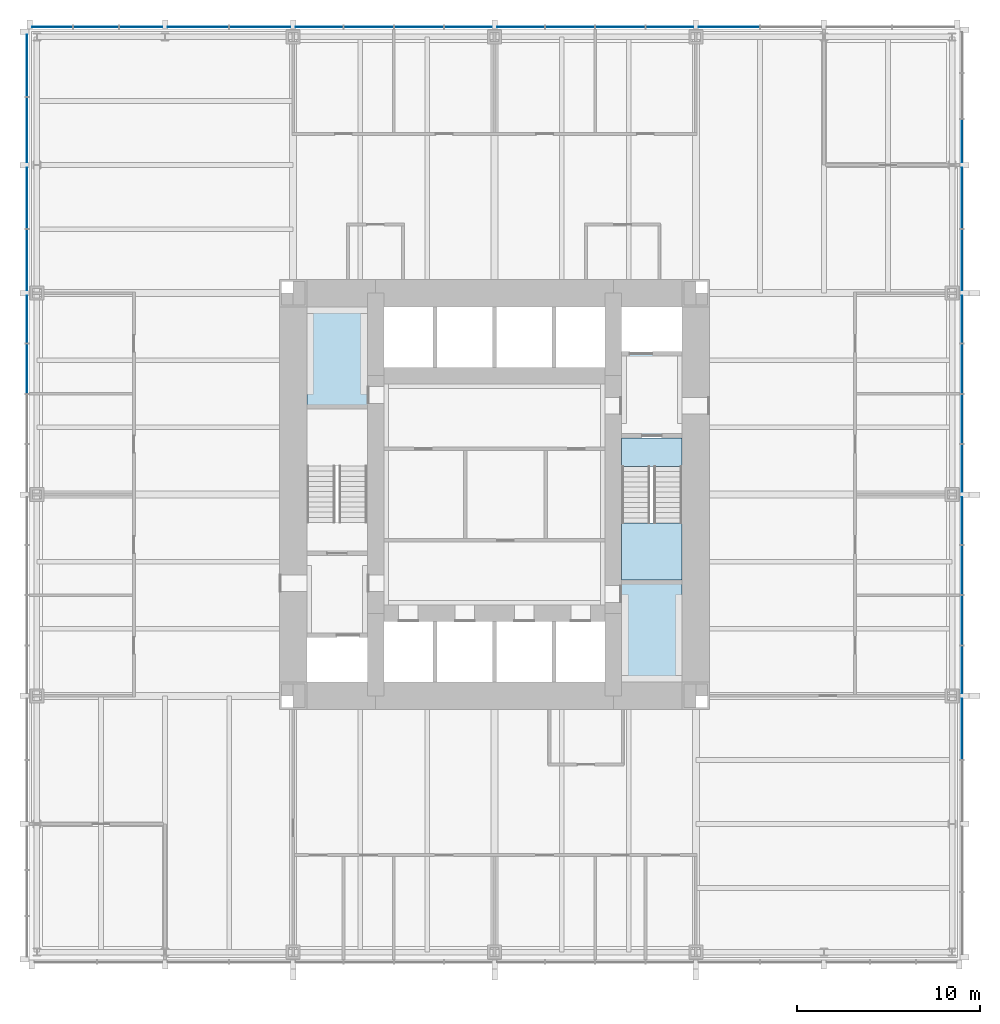
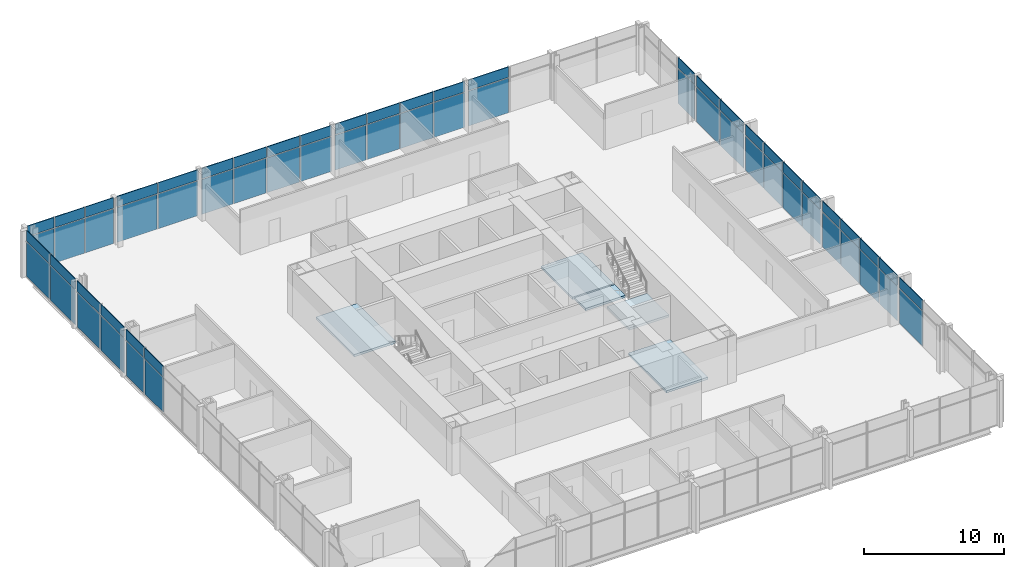
# One storey, part 8 of 12: 64 plates, 5 slabs, 4 elements without a shape of their own.
"""IFC4 building model written with IfcOpenShell, lengths in metres."""

from ifc_helpers import new_model, si_unit, direction, frame, origin, origin_2d, place, context, subcontext, project, spatial, polyline, rectangle, outline, extrude, material, layer, layer_set, type_object, element, aggregate, save


model = new_model("IFC4")

# Units and contexts
model_context = context("Model", 3, precision=1e-05, world=origin(), true_north=direction((0.0, 1.0)))
body_context = subcontext(model_context, "Body", "Model", "MODEL_VIEW")
ifc_project = project(units=[si_unit("LENGTHUNIT", "METRE"), si_unit("AREAUNIT", "SQUARE_METRE"), si_unit("VOLUMEUNIT", "CUBIC_METRE"), si_unit("PLANEANGLEUNIT", "RADIAN"), si_unit("MASSUNIT", "GRAM", prefix="KILO")], contexts=[model_context])

# Site, building, storey
site_placement = place(None, origin())
site = spatial("IfcSite", under=ifc_project, at=site_placement, CompositionType="ELEMENT")
building_placement = place(site_placement, origin())
building = spatial("IfcBuilding", under=site, at=building_placement, Name="Trevanion Tower", CompositionType="ELEMENT")
storey_placement = place(building_placement, frame((0.0, 0.0, 77.5)))
storey = spatial("IfcBuildingStorey", under=building, at=storey_placement, Name="L18", CompositionType="ELEMENT", Elevation=77.5)

# Curtain wall, plates
ifc_material_1 = material(Name="Aluminium and glass", Category="aluminium")
curtain_wall_type = type_object("IfcCurtainWallType", Name="CW1 curtain wall", PredefinedType="USERDEFINED", material=ifc_material_1)
curtain_wall_1_placement = place(storey_placement, origin())
curtain_wall_1 = element("IfcCurtainWall", 1, at=curtain_wall_1_placement, inside=storey, type_object=curtain_wall_type, Name="CW1 L18 0", ObjectType="UNITISED CURTAIN WALL", PredefinedType="USERDEFINED")
ifc_material_2 = material(Name="Aluminium spandrel panel", Category="aluminium")
ifc_layer_1 = layer(ifc_material_2, 0.06005859375)
ifc_layer_set_1 = layer_set([ifc_layer_1], Name="CW1 spandrel panel")
plate_type_1 = type_object("IfcPlateType", Name="CW1 spandrel panel", PredefinedType="CURTAIN_PANEL", material=ifc_layer_set_1)
plate_1_placement = place(storey_placement, frame((25.550048828125, -12.806396484375, 2.997314453125), z_axis=(0.0, 0.0, 1.0), x_axis=(0.0, 1.0, 0.0)))
plate_1 = element("IfcPlate", 2, at=plate_1_placement, type_object=plate_type_1, Name="CW1 panel 4.2", PredefinedType="CURTAIN_PANEL", context=body_context, shape_type="SweptSolid", body=[
    extrude(rectangle(XDim=3.3125, YDim=0.06005859375, at=origin_2d()), origin(), (0.0, 0.0, 1.0), 0.91259765625),
])
plate_2_placement = place(storey_placement, frame((25.550048828125, -9.56884765625, 2.997314453125), z_axis=(0.0, 0.0, 1.0), x_axis=(0.0, 1.0, 0.0)))
plate_2 = element("IfcPlate", 3, at=plate_2_placement, type_object=plate_type_1, Name="CW1 panel 5.2", PredefinedType="CURTAIN_PANEL", context=body_context, shape_type="SweptSolid", body=[
    extrude(rectangle(XDim=2.5625, YDim=0.06005859375, at=origin_2d()), origin(), (0.0, 0.0, 1.0), 0.91259765625),
])
plate_3_placement = place(storey_placement, frame((25.550048828125, -6.875, 2.997314453125), z_axis=(0.0, 0.0, 1.0), x_axis=(0.0, 1.0, 0.0)))
plate_3 = element("IfcPlate", 4, at=plate_3_placement, type_object=plate_type_1, Name="CW1 panel 6.2", PredefinedType="CURTAIN_PANEL", context=body_context, shape_type="SweptSolid", body=[
    extrude(rectangle(XDim=2.675048828125, YDim=0.06005859375, at=origin_2d()), origin(), (0.0, 0.0, 1.0), 0.91259765625),
])
plate_4_placement = place(storey_placement, frame((25.550048828125, -4.125, 2.997314453125), z_axis=(0.0, 0.0, 1.0), x_axis=(0.0, 1.0, 0.0)))
plate_4 = element("IfcPlate", 5, at=plate_4_placement, type_object=plate_type_1, Name="CW1 panel 7.2", PredefinedType="CURTAIN_PANEL", context=body_context, shape_type="SweptSolid", body=[
    extrude(rectangle(XDim=2.675048828125, YDim=0.06005859375, at=origin_2d()), origin(), (0.0, 0.0, 1.0), 0.91259765625),
])
plate_5_placement = place(storey_placement, frame((25.550048828125, -1.43115234375, 2.997314453125), z_axis=(0.0, 0.0, 1.0), x_axis=(0.0, 1.0, 0.0)))
plate_5 = element("IfcPlate", 6, at=plate_5_placement, type_object=plate_type_1, Name="CW1 panel 8.2", PredefinedType="CURTAIN_PANEL", context=body_context, shape_type="SweptSolid", body=[
    extrude(rectangle(XDim=2.5625, YDim=0.06005859375, at=origin_2d()), origin(), (0.0, 0.0, 1.0), 0.91259765625),
])
plate_6_placement = place(storey_placement, frame((25.550048828125, 1.43115234375, 2.997314453125), z_axis=(0.0, 0.0, 1.0), x_axis=(0.0, 1.0, 0.0)))
plate_6 = element("IfcPlate", 7, at=plate_6_placement, type_object=plate_type_1, Name="CW1 panel 9.2", PredefinedType="CURTAIN_PANEL", context=body_context, shape_type="SweptSolid", body=[
    extrude(rectangle(XDim=2.5625, YDim=0.06005859375, at=origin_2d()), origin(), (0.0, 0.0, 1.0), 0.91259765625),
])
plate_7_placement = place(storey_placement, frame((25.550048828125, 4.125, 2.997314453125), z_axis=(0.0, 0.0, 1.0), x_axis=(0.0, 1.0, 0.0)))
plate_7 = element("IfcPlate", 8, at=plate_7_placement, type_object=plate_type_1, Name="CW1 panel 10.2", PredefinedType="CURTAIN_PANEL", context=body_context, shape_type="SweptSolid", body=[
    extrude(rectangle(XDim=2.675048828125, YDim=0.06005859375, at=origin_2d()), origin(), (0.0, 0.0, 1.0), 0.91259765625),
])
plate_8_placement = place(storey_placement, frame((25.550048828125, 6.875, 2.997314453125), z_axis=(0.0, 0.0, 1.0), x_axis=(0.0, 1.0, 0.0)))
plate_8 = element("IfcPlate", 9, at=plate_8_placement, type_object=plate_type_1, Name="CW1 panel 11.2", PredefinedType="CURTAIN_PANEL", context=body_context, shape_type="SweptSolid", body=[
    extrude(rectangle(XDim=2.675048828125, YDim=0.06005859375, at=origin_2d()), origin(), (0.0, 0.0, 1.0), 0.91259765625),
])
plate_9_placement = place(storey_placement, frame((25.550048828125, 9.56884765625, 2.997314453125), z_axis=(0.0, 0.0, 1.0), x_axis=(0.0, 1.0, 0.0)))
plate_9 = element("IfcPlate", 10, at=plate_9_placement, type_object=plate_type_1, Name="CW1 panel 12.2", PredefinedType="CURTAIN_PANEL", context=body_context, shape_type="SweptSolid", body=[
    extrude(rectangle(XDim=2.5625, YDim=0.06005859375, at=origin_2d()), origin(), (0.0, 0.0, 1.0), 0.91259765625),
])
plate_10_placement = place(storey_placement, frame((25.550048828125, 12.80615234375, 2.997314453125), z_axis=(0.0, 0.0, 1.0), x_axis=(0.0, 1.0, 0.0)))
plate_10 = element("IfcPlate", 11, at=plate_10_placement, type_object=plate_type_1, Name="CW1 panel 13.2", PredefinedType="CURTAIN_PANEL", context=body_context, shape_type="SweptSolid", body=[
    extrude(rectangle(XDim=3.3125, YDim=0.06005859375, at=origin_2d()), origin(), (0.0, 0.0, 1.0), 0.91259765625),
])
plate_11_placement = place(storey_placement, frame((25.550048828125, 16.19384765625, 2.997314453125), z_axis=(0.0, 0.0, 1.0), x_axis=(0.0, 1.0, 0.0)))
plate_11 = element("IfcPlate", 12, at=plate_11_placement, type_object=plate_type_1, Name="CW1 panel 14.2", PredefinedType="CURTAIN_PANEL", context=body_context, shape_type="SweptSolid", body=[
    extrude(rectangle(XDim=3.3125, YDim=0.06005859375, at=origin_2d()), origin(), (0.0, 0.0, 1.0), 0.91259765625),
])
plate_12_placement = place(storey_placement, frame((25.550048828125, 19.314697265625, 2.997314453125), z_axis=(0.0, 0.0, 1.0), x_axis=(0.0, 1.0, 0.0)))
plate_12 = element("IfcPlate", 13, at=plate_12_placement, type_object=plate_type_1, Name="CW1 panel 15.2", PredefinedType="CURTAIN_PANEL", context=body_context, shape_type="SweptSolid", body=[
    extrude(rectangle(XDim=2.3291015625, YDim=0.06005859375, at=origin_2d()), origin(), (0.0, 0.0, 1.0), 0.91259765625),
])

curtain_wall_2_placement = place(storey_placement, origin())
curtain_wall_2 = element("IfcCurtainWall", 14, at=curtain_wall_2_placement, inside=storey, type_object=curtain_wall_type, Name="CW1 L18 1", ObjectType="UNITISED CURTAIN WALL", PredefinedType="USERDEFINED")
plate_13_placement = place(storey_placement, frame((12.806396484375, 25.550048828125, 2.997314453125), z_axis=(0.0, 0.0, 1.0), x_axis=(-1.0, 0.0, 0.0)))
plate_13 = element("IfcPlate", 15, at=plate_13_placement, type_object=plate_type_1, Name="CW1 panel 4.2", PredefinedType="CURTAIN_PANEL", context=body_context, shape_type="SweptSolid", body=[
    extrude(rectangle(XDim=3.3125, YDim=0.06005859375, at=origin_2d()), origin(), (0.0, 0.0, 1.0), 0.91259765625),
])
plate_14_placement = place(storey_placement, frame((9.56884765625, 25.550048828125, 2.997314453125), z_axis=(0.0, 0.0, 1.0), x_axis=(-1.0, 0.0, 0.0)))
plate_14 = element("IfcPlate", 16, at=plate_14_placement, type_object=plate_type_1, Name="CW1 panel 5.2", PredefinedType="CURTAIN_PANEL", context=body_context, shape_type="SweptSolid", body=[
    extrude(rectangle(XDim=2.5625, YDim=0.06005859375, at=origin_2d()), origin(), (0.0, 0.0, 1.0), 0.91259765625),
])
plate_15_placement = place(storey_placement, frame((6.875, 25.550048828125, 2.997314453125), z_axis=(0.0, 0.0, 1.0), x_axis=(-1.0, 0.0, 0.0)))
plate_15 = element("IfcPlate", 17, at=plate_15_placement, type_object=plate_type_1, Name="CW1 panel 6.2", PredefinedType="CURTAIN_PANEL", context=body_context, shape_type="SweptSolid", body=[
    extrude(rectangle(XDim=2.675048828125, YDim=0.06005859375, at=origin_2d()), origin(), (0.0, 0.0, 1.0), 0.91259765625),
])
plate_16_placement = place(storey_placement, frame((4.125, 25.550048828125, 2.997314453125), z_axis=(0.0, 0.0, 1.0), x_axis=(-1.0, 0.0, 0.0)))
plate_16 = element("IfcPlate", 18, at=plate_16_placement, type_object=plate_type_1, Name="CW1 panel 7.2", PredefinedType="CURTAIN_PANEL", context=body_context, shape_type="SweptSolid", body=[
    extrude(rectangle(XDim=2.675048828125, YDim=0.06005859375, at=origin_2d()), origin(), (0.0, 0.0, 1.0), 0.91259765625),
])
plate_17_placement = place(storey_placement, frame((1.43115234375, 25.550048828125, 2.997314453125), z_axis=(0.0, 0.0, 1.0), x_axis=(-1.0, 0.0, 0.0)))
plate_17 = element("IfcPlate", 19, at=plate_17_placement, type_object=plate_type_1, Name="CW1 panel 8.2", PredefinedType="CURTAIN_PANEL", context=body_context, shape_type="SweptSolid", body=[
    extrude(rectangle(XDim=2.5625, YDim=0.06005859375, at=origin_2d()), origin(), (0.0, 0.0, 1.0), 0.91259765625),
])
plate_18_placement = place(storey_placement, frame((-1.43115234375, 25.550048828125, 2.997314453125), z_axis=(0.0, 0.0, 1.0), x_axis=(-1.0, 0.0, 0.0)))
plate_18 = element("IfcPlate", 20, at=plate_18_placement, type_object=plate_type_1, Name="CW1 panel 9.2", PredefinedType="CURTAIN_PANEL", context=body_context, shape_type="SweptSolid", body=[
    extrude(rectangle(XDim=2.5625, YDim=0.06005859375, at=origin_2d()), origin(), (0.0, 0.0, 1.0), 0.91259765625),
])
plate_19_placement = place(storey_placement, frame((-4.125, 25.550048828125, 2.997314453125), z_axis=(0.0, 0.0, 1.0), x_axis=(-1.0, 0.0, 0.0)))
plate_19 = element("IfcPlate", 21, at=plate_19_placement, type_object=plate_type_1, Name="CW1 panel 10.2", PredefinedType="CURTAIN_PANEL", context=body_context, shape_type="SweptSolid", body=[
    extrude(rectangle(XDim=2.675048828125, YDim=0.06005859375, at=origin_2d()), origin(), (0.0, 0.0, 1.0), 0.91259765625),
])
plate_20_placement = place(storey_placement, frame((-6.875, 25.550048828125, 2.997314453125), z_axis=(0.0, 0.0, 1.0), x_axis=(-1.0, 0.0, 0.0)))
plate_20 = element("IfcPlate", 22, at=plate_20_placement, type_object=plate_type_1, Name="CW1 panel 11.2", PredefinedType="CURTAIN_PANEL", context=body_context, shape_type="SweptSolid", body=[
    extrude(rectangle(XDim=2.675048828125, YDim=0.06005859375, at=origin_2d()), origin(), (0.0, 0.0, 1.0), 0.91259765625),
])
plate_21_placement = place(storey_placement, frame((-9.56884765625, 25.550048828125, 2.997314453125), z_axis=(0.0, 0.0, 1.0), x_axis=(-1.0, 0.0, 0.0)))
plate_21 = element("IfcPlate", 23, at=plate_21_placement, type_object=plate_type_1, Name="CW1 panel 12.2", PredefinedType="CURTAIN_PANEL", context=body_context, shape_type="SweptSolid", body=[
    extrude(rectangle(XDim=2.5625, YDim=0.06005859375, at=origin_2d()), origin(), (0.0, 0.0, 1.0), 0.91259765625),
])
plate_22_placement = place(storey_placement, frame((-12.80615234375, 25.550048828125, 2.997314453125), z_axis=(0.0, 0.0, 1.0), x_axis=(-1.0, 0.0, 0.0)))
plate_22 = element("IfcPlate", 24, at=plate_22_placement, type_object=plate_type_1, Name="CW1 panel 13.2", PredefinedType="CURTAIN_PANEL", context=body_context, shape_type="SweptSolid", body=[
    extrude(rectangle(XDim=3.3125, YDim=0.06005859375, at=origin_2d()), origin(), (0.0, 0.0, 1.0), 0.91259765625),
])
plate_23_placement = place(storey_placement, frame((-16.19384765625, 25.550048828125, 2.997314453125), z_axis=(0.0, 0.0, 1.0), x_axis=(-1.0, 0.0, 0.0)))
plate_23 = element("IfcPlate", 25, at=plate_23_placement, type_object=plate_type_1, Name="CW1 panel 14.2", PredefinedType="CURTAIN_PANEL", context=body_context, shape_type="SweptSolid", body=[
    extrude(rectangle(XDim=3.3125, YDim=0.06005859375, at=origin_2d()), origin(), (0.0, 0.0, 1.0), 0.91259765625),
])
plate_24_placement = place(storey_placement, frame((-19.314697265625, 25.550048828125, 2.997314453125), z_axis=(0.0, 0.0, 1.0), x_axis=(-1.0, 0.0, 0.0)))
plate_24 = element("IfcPlate", 26, at=plate_24_placement, type_object=plate_type_1, Name="CW1 panel 15.2", PredefinedType="CURTAIN_PANEL", context=body_context, shape_type="SweptSolid", body=[
    extrude(rectangle(XDim=2.3291015625, YDim=0.06005859375, at=origin_2d()), origin(), (0.0, 0.0, 1.0), 0.91259765625),
])
plate_25_placement = place(storey_placement, frame((-21.77490234375, 25.550048828125, 2.997314453125), z_axis=(0.0, 0.0, 1.0), x_axis=(-1.0, 0.0, 0.0)))
plate_25 = element("IfcPlate", 27, at=plate_25_placement, type_object=plate_type_1, Name="CW1 panel 16.2", PredefinedType="CURTAIN_PANEL", context=body_context, shape_type="SweptSolid", body=[
    extrude(rectangle(XDim=2.441650390625, YDim=0.06005859375, at=origin_2d()), origin(), (0.0, 0.0, 1.0), 0.91259765625),
])
plate_26_placement = place(storey_placement, frame((-24.160400390625, 25.550048828125, 2.997314453125), z_axis=(0.0, 0.0, 1.0), x_axis=(-1.0, 0.0, 0.0)))
plate_26 = element("IfcPlate", 28, at=plate_26_placement, type_object=plate_type_1, Name="CW1 panel 17.2", PredefinedType="CURTAIN_PANEL", context=body_context, shape_type="SweptSolid", body=[
    extrude(rectangle(XDim=2.17919921875, YDim=0.06005859375, at=origin_2d()), origin(), (0.0, 0.0, 1.0), 0.91259765625),
])

curtain_wall_3_placement = place(storey_placement, origin())
curtain_wall_3 = element("IfcCurtainWall", 29, at=curtain_wall_3_placement, inside=storey, type_object=curtain_wall_type, Name="CW1 L18 2", ObjectType="UNITISED CURTAIN WALL", PredefinedType="USERDEFINED")
plate_27_placement = place(storey_placement, frame((-25.550048828125, 23.433837890625, 2.997314453125), z_axis=(0.0, 0.0, 1.0), x_axis=(0.0, -1.0, 0.0)))
plate_27 = element("IfcPlate", 30, at=plate_27_placement, type_object=plate_type_1, Name="CW1 panel 1.2", PredefinedType="CURTAIN_PANEL", context=body_context, shape_type="SweptSolid", body=[
    extrude(rectangle(XDim=3.37255859375, YDim=0.06005859375, at=origin_2d()), origin(), (0.0, 0.0, 1.0), 0.91259765625),
])
plate_28_placement = place(storey_placement, frame((-25.550048828125, 19.911376953125, 2.997314453125), z_axis=(0.0, 0.0, 1.0), x_axis=(0.0, -1.0, 0.0)))
plate_28 = element("IfcPlate", 31, at=plate_28_placement, type_object=plate_type_1, Name="CW1 panel 2.2", PredefinedType="CURTAIN_PANEL", context=body_context, shape_type="SweptSolid", body=[
    extrude(rectangle(XDim=3.5224609375, YDim=0.06005859375, at=origin_2d()), origin(), (0.0, 0.0, 1.0), 0.91259765625),
])
plate_29_placement = place(storey_placement, frame((-25.550048828125, 16.19384765625, 2.997314453125), z_axis=(0.0, 0.0, 1.0), x_axis=(0.0, -1.0, 0.0)))
plate_29 = element("IfcPlate", 32, at=plate_29_placement, type_object=plate_type_1, Name="CW1 panel 3.2", PredefinedType="CURTAIN_PANEL", context=body_context, shape_type="SweptSolid", body=[
    extrude(rectangle(XDim=3.3125, YDim=0.06005859375, at=origin_2d()), origin(), (0.0, 0.0, 1.0), 0.91259765625),
])
plate_30_placement = place(storey_placement, frame((-25.550048828125, 12.806396484375, 2.997314453125), z_axis=(0.0, 0.0, 1.0), x_axis=(0.0, -1.0, 0.0)))
plate_30 = element("IfcPlate", 33, at=plate_30_placement, type_object=plate_type_1, Name="CW1 panel 4.2", PredefinedType="CURTAIN_PANEL", context=body_context, shape_type="SweptSolid", body=[
    extrude(rectangle(XDim=3.3125, YDim=0.06005859375, at=origin_2d()), origin(), (0.0, 0.0, 1.0), 0.91259765625),
])
plate_31_placement = place(storey_placement, frame((-25.550048828125, 9.56884765625, 2.997314453125), z_axis=(0.0, 0.0, 1.0), x_axis=(0.0, -1.0, 0.0)))
plate_31 = element("IfcPlate", 34, at=plate_31_placement, type_object=plate_type_1, Name="CW1 panel 5.2", PredefinedType="CURTAIN_PANEL", context=body_context, shape_type="SweptSolid", body=[
    extrude(rectangle(XDim=2.5625, YDim=0.06005859375, at=origin_2d()), origin(), (0.0, 0.0, 1.0), 0.91259765625),
])
plate_32_placement = place(storey_placement, frame((-25.550048828125, 6.875, 2.997314453125), z_axis=(0.0, 0.0, 1.0), x_axis=(0.0, -1.0, 0.0)))
plate_32 = element("IfcPlate", 35, at=plate_32_placement, type_object=plate_type_1, Name="CW1 panel 6.2", PredefinedType="CURTAIN_PANEL", context=body_context, shape_type="SweptSolid", body=[
    extrude(rectangle(XDim=2.675048828125, YDim=0.06005859375, at=origin_2d()), origin(), (0.0, 0.0, 1.0), 0.91259765625),
])

# Plate
ifc_material_3 = material(Name="Insulating glass unit", Category="glass")
ifc_layer_2 = layer(ifc_material_3, 0.028076171875)
ifc_layer_set_2 = layer_set([ifc_layer_2], Name="CW1 vision panel")
plate_type_2 = type_object("IfcPlateType", Name="CW1 vision panel", PredefinedType="CURTAIN_PANEL", material=ifc_layer_set_2)
plate_33_placement = place(storey_placement, frame((25.550048828125, -12.806396484375, -0.114990234375), z_axis=(0.0, 0.0, 1.0), x_axis=(0.0, 1.0, 0.0)))
plate_33 = element("IfcPlate", 36, at=plate_33_placement, type_object=plate_type_2, Name="CW1 panel 4.1", PredefinedType="CURTAIN_PANEL", context=body_context, shape_type="SweptSolid", body=[
    extrude(rectangle(XDim=3.3125, YDim=0.028076171875, at=origin_2d()), origin(), (0.0, 0.0, 1.0), 3.03759765625),
])

plate_34_placement = place(storey_placement, frame((25.550048828125, -9.56884765625, -0.114990234375), z_axis=(0.0, 0.0, 1.0), x_axis=(0.0, 1.0, 0.0)))
plate_34 = element("IfcPlate", 37, at=plate_34_placement, type_object=plate_type_2, Name="CW1 panel 5.1", PredefinedType="CURTAIN_PANEL", context=body_context, shape_type="SweptSolid", body=[
    extrude(rectangle(XDim=2.5625, YDim=0.028076171875, at=origin_2d()), origin(), (0.0, 0.0, 1.0), 3.03759765625),
])

plate_35_placement = place(storey_placement, frame((25.550048828125, -6.875, -0.114990234375), z_axis=(0.0, 0.0, 1.0), x_axis=(0.0, 1.0, 0.0)))
plate_35 = element("IfcPlate", 38, at=plate_35_placement, type_object=plate_type_2, Name="CW1 panel 6.1", PredefinedType="CURTAIN_PANEL", context=body_context, shape_type="SweptSolid", body=[
    extrude(rectangle(XDim=2.675048828125, YDim=0.028076171875, at=origin_2d()), origin(), (0.0, 0.0, 1.0), 3.03759765625),
])

plate_36_placement = place(storey_placement, frame((25.550048828125, -4.125, -0.114990234375), z_axis=(0.0, 0.0, 1.0), x_axis=(0.0, 1.0, 0.0)))
plate_36 = element("IfcPlate", 39, at=plate_36_placement, type_object=plate_type_2, Name="CW1 panel 7.1", PredefinedType="CURTAIN_PANEL", context=body_context, shape_type="SweptSolid", body=[
    extrude(rectangle(XDim=2.675048828125, YDim=0.028076171875, at=origin_2d()), origin(), (0.0, 0.0, 1.0), 3.03759765625),
])

plate_37_placement = place(storey_placement, frame((25.550048828125, -1.43115234375, -0.114990234375), z_axis=(0.0, 0.0, 1.0), x_axis=(0.0, 1.0, 0.0)))
plate_37 = element("IfcPlate", 40, at=plate_37_placement, type_object=plate_type_2, Name="CW1 panel 8.1", PredefinedType="CURTAIN_PANEL", context=body_context, shape_type="SweptSolid", body=[
    extrude(rectangle(XDim=2.5625, YDim=0.028076171875, at=origin_2d()), origin(), (0.0, 0.0, 1.0), 3.03759765625),
])

plate_38_placement = place(storey_placement, frame((25.550048828125, 1.43115234375, -0.114990234375), z_axis=(0.0, 0.0, 1.0), x_axis=(0.0, 1.0, 0.0)))
plate_38 = element("IfcPlate", 41, at=plate_38_placement, type_object=plate_type_2, Name="CW1 panel 9.1", PredefinedType="CURTAIN_PANEL", context=body_context, shape_type="SweptSolid", body=[
    extrude(rectangle(XDim=2.5625, YDim=0.028076171875, at=origin_2d()), origin(), (0.0, 0.0, 1.0), 3.03759765625),
])

plate_39_placement = place(storey_placement, frame((25.550048828125, 4.125, -0.114990234375), z_axis=(0.0, 0.0, 1.0), x_axis=(0.0, 1.0, 0.0)))
plate_39 = element("IfcPlate", 42, at=plate_39_placement, type_object=plate_type_2, Name="CW1 panel 10.1", PredefinedType="CURTAIN_PANEL", context=body_context, shape_type="SweptSolid", body=[
    extrude(rectangle(XDim=2.675048828125, YDim=0.028076171875, at=origin_2d()), origin(), (0.0, 0.0, 1.0), 3.03759765625),
])

plate_40_placement = place(storey_placement, frame((25.550048828125, 6.875, -0.114990234375), z_axis=(0.0, 0.0, 1.0), x_axis=(0.0, 1.0, 0.0)))
plate_40 = element("IfcPlate", 43, at=plate_40_placement, type_object=plate_type_2, Name="CW1 panel 11.1", PredefinedType="CURTAIN_PANEL", context=body_context, shape_type="SweptSolid", body=[
    extrude(rectangle(XDim=2.675048828125, YDim=0.028076171875, at=origin_2d()), origin(), (0.0, 0.0, 1.0), 3.03759765625),
])

plate_41_placement = place(storey_placement, frame((25.550048828125, 9.56884765625, -0.114990234375), z_axis=(0.0, 0.0, 1.0), x_axis=(0.0, 1.0, 0.0)))
plate_41 = element("IfcPlate", 44, at=plate_41_placement, type_object=plate_type_2, Name="CW1 panel 12.1", PredefinedType="CURTAIN_PANEL", context=body_context, shape_type="SweptSolid", body=[
    extrude(rectangle(XDim=2.5625, YDim=0.028076171875, at=origin_2d()), origin(), (0.0, 0.0, 1.0), 3.03759765625),
])

plate_42_placement = place(storey_placement, frame((25.550048828125, 12.80615234375, -0.114990234375), z_axis=(0.0, 0.0, 1.0), x_axis=(0.0, 1.0, 0.0)))
plate_42 = element("IfcPlate", 45, at=plate_42_placement, type_object=plate_type_2, Name="CW1 panel 13.1", PredefinedType="CURTAIN_PANEL", context=body_context, shape_type="SweptSolid", body=[
    extrude(rectangle(XDim=3.3125, YDim=0.028076171875, at=origin_2d()), origin(), (0.0, 0.0, 1.0), 3.03759765625),
])

plate_43_placement = place(storey_placement, frame((25.550048828125, 16.19384765625, -0.114990234375), z_axis=(0.0, 0.0, 1.0), x_axis=(0.0, 1.0, 0.0)))
plate_43 = element("IfcPlate", 46, at=plate_43_placement, type_object=plate_type_2, Name="CW1 panel 14.1", PredefinedType="CURTAIN_PANEL", context=body_context, shape_type="SweptSolid", body=[
    extrude(rectangle(XDim=3.3125, YDim=0.028076171875, at=origin_2d()), origin(), (0.0, 0.0, 1.0), 3.03759765625),
])

plate_44_placement = place(storey_placement, frame((25.550048828125, 19.314697265625, -0.114990234375), z_axis=(0.0, 0.0, 1.0), x_axis=(0.0, 1.0, 0.0)))
plate_44 = element("IfcPlate", 47, at=plate_44_placement, type_object=plate_type_2, Name="CW1 panel 15.1", PredefinedType="CURTAIN_PANEL", context=body_context, shape_type="SweptSolid", body=[
    extrude(rectangle(XDim=2.3291015625, YDim=0.028076171875, at=origin_2d()), origin(), (0.0, 0.0, 1.0), 3.03759765625),
])

aggregate(curtain_wall_1, [plate_33, plate_1, plate_34, plate_2, plate_35, plate_3, plate_36, plate_4, plate_37, plate_5, plate_38, plate_6, plate_39, plate_7, plate_40, plate_8, plate_41, plate_9, plate_42, plate_10, plate_43, plate_11, plate_44, plate_12])

plate_45_placement = place(storey_placement, frame((12.806396484375, 25.550048828125, -0.114990234375), z_axis=(0.0, 0.0, 1.0), x_axis=(-1.0, 0.0, 0.0)))
plate_45 = element("IfcPlate", 48, at=plate_45_placement, type_object=plate_type_2, Name="CW1 panel 4.1", PredefinedType="CURTAIN_PANEL", context=body_context, shape_type="SweptSolid", body=[
    extrude(rectangle(XDim=3.3125, YDim=0.028076171875, at=origin_2d()), origin(), (0.0, 0.0, 1.0), 3.03759765625),
])

plate_46_placement = place(storey_placement, frame((9.56884765625, 25.550048828125, -0.114990234375), z_axis=(0.0, 0.0, 1.0), x_axis=(-1.0, 0.0, 0.0)))
plate_46 = element("IfcPlate", 49, at=plate_46_placement, type_object=plate_type_2, Name="CW1 panel 5.1", PredefinedType="CURTAIN_PANEL", context=body_context, shape_type="SweptSolid", body=[
    extrude(rectangle(XDim=2.5625, YDim=0.028076171875, at=origin_2d()), origin(), (0.0, 0.0, 1.0), 3.03759765625),
])

plate_47_placement = place(storey_placement, frame((6.875, 25.550048828125, -0.114990234375), z_axis=(0.0, 0.0, 1.0), x_axis=(-1.0, 0.0, 0.0)))
plate_47 = element("IfcPlate", 50, at=plate_47_placement, type_object=plate_type_2, Name="CW1 panel 6.1", PredefinedType="CURTAIN_PANEL", context=body_context, shape_type="SweptSolid", body=[
    extrude(rectangle(XDim=2.675048828125, YDim=0.028076171875, at=origin_2d()), origin(), (0.0, 0.0, 1.0), 3.03759765625),
])

plate_48_placement = place(storey_placement, frame((4.125, 25.550048828125, -0.114990234375), z_axis=(0.0, 0.0, 1.0), x_axis=(-1.0, 0.0, 0.0)))
plate_48 = element("IfcPlate", 51, at=plate_48_placement, type_object=plate_type_2, Name="CW1 panel 7.1", PredefinedType="CURTAIN_PANEL", context=body_context, shape_type="SweptSolid", body=[
    extrude(rectangle(XDim=2.675048828125, YDim=0.028076171875, at=origin_2d()), origin(), (0.0, 0.0, 1.0), 3.03759765625),
])

plate_49_placement = place(storey_placement, frame((1.43115234375, 25.550048828125, -0.114990234375), z_axis=(0.0, 0.0, 1.0), x_axis=(-1.0, 0.0, 0.0)))
plate_49 = element("IfcPlate", 52, at=plate_49_placement, type_object=plate_type_2, Name="CW1 panel 8.1", PredefinedType="CURTAIN_PANEL", context=body_context, shape_type="SweptSolid", body=[
    extrude(rectangle(XDim=2.5625, YDim=0.028076171875, at=origin_2d()), origin(), (0.0, 0.0, 1.0), 3.03759765625),
])

plate_50_placement = place(storey_placement, frame((-1.43115234375, 25.550048828125, -0.114990234375), z_axis=(0.0, 0.0, 1.0), x_axis=(-1.0, 0.0, 0.0)))
plate_50 = element("IfcPlate", 53, at=plate_50_placement, type_object=plate_type_2, Name="CW1 panel 9.1", PredefinedType="CURTAIN_PANEL", context=body_context, shape_type="SweptSolid", body=[
    extrude(rectangle(XDim=2.5625, YDim=0.028076171875, at=origin_2d()), origin(), (0.0, 0.0, 1.0), 3.03759765625),
])

plate_51_placement = place(storey_placement, frame((-4.125, 25.550048828125, -0.114990234375), z_axis=(0.0, 0.0, 1.0), x_axis=(-1.0, 0.0, 0.0)))
plate_51 = element("IfcPlate", 54, at=plate_51_placement, type_object=plate_type_2, Name="CW1 panel 10.1", PredefinedType="CURTAIN_PANEL", context=body_context, shape_type="SweptSolid", body=[
    extrude(rectangle(XDim=2.675048828125, YDim=0.028076171875, at=origin_2d()), origin(), (0.0, 0.0, 1.0), 3.03759765625),
])

plate_52_placement = place(storey_placement, frame((-6.875, 25.550048828125, -0.114990234375), z_axis=(0.0, 0.0, 1.0), x_axis=(-1.0, 0.0, 0.0)))
plate_52 = element("IfcPlate", 55, at=plate_52_placement, type_object=plate_type_2, Name="CW1 panel 11.1", PredefinedType="CURTAIN_PANEL", context=body_context, shape_type="SweptSolid", body=[
    extrude(rectangle(XDim=2.675048828125, YDim=0.028076171875, at=origin_2d()), origin(), (0.0, 0.0, 1.0), 3.03759765625),
])

plate_53_placement = place(storey_placement, frame((-9.56884765625, 25.550048828125, -0.114990234375), z_axis=(0.0, 0.0, 1.0), x_axis=(-1.0, 0.0, 0.0)))
plate_53 = element("IfcPlate", 56, at=plate_53_placement, type_object=plate_type_2, Name="CW1 panel 12.1", PredefinedType="CURTAIN_PANEL", context=body_context, shape_type="SweptSolid", body=[
    extrude(rectangle(XDim=2.5625, YDim=0.028076171875, at=origin_2d()), origin(), (0.0, 0.0, 1.0), 3.03759765625),
])

plate_54_placement = place(storey_placement, frame((-12.80615234375, 25.550048828125, -0.114990234375), z_axis=(0.0, 0.0, 1.0), x_axis=(-1.0, 0.0, 0.0)))
plate_54 = element("IfcPlate", 57, at=plate_54_placement, type_object=plate_type_2, Name="CW1 panel 13.1", PredefinedType="CURTAIN_PANEL", context=body_context, shape_type="SweptSolid", body=[
    extrude(rectangle(XDim=3.3125, YDim=0.028076171875, at=origin_2d()), origin(), (0.0, 0.0, 1.0), 3.03759765625),
])

plate_55_placement = place(storey_placement, frame((-16.19384765625, 25.550048828125, -0.114990234375), z_axis=(0.0, 0.0, 1.0), x_axis=(-1.0, 0.0, 0.0)))
plate_55 = element("IfcPlate", 58, at=plate_55_placement, type_object=plate_type_2, Name="CW1 panel 14.1", PredefinedType="CURTAIN_PANEL", context=body_context, shape_type="SweptSolid", body=[
    extrude(rectangle(XDim=3.3125, YDim=0.028076171875, at=origin_2d()), origin(), (0.0, 0.0, 1.0), 3.03759765625),
])

plate_56_placement = place(storey_placement, frame((-19.314697265625, 25.550048828125, -0.114990234375), z_axis=(0.0, 0.0, 1.0), x_axis=(-1.0, 0.0, 0.0)))
plate_56 = element("IfcPlate", 59, at=plate_56_placement, type_object=plate_type_2, Name="CW1 panel 15.1", PredefinedType="CURTAIN_PANEL", context=body_context, shape_type="SweptSolid", body=[
    extrude(rectangle(XDim=2.3291015625, YDim=0.028076171875, at=origin_2d()), origin(), (0.0, 0.0, 1.0), 3.03759765625),
])

plate_57_placement = place(storey_placement, frame((-21.77490234375, 25.550048828125, -0.114990234375), z_axis=(0.0, 0.0, 1.0), x_axis=(-1.0, 0.0, 0.0)))
plate_57 = element("IfcPlate", 60, at=plate_57_placement, type_object=plate_type_2, Name="CW1 panel 16.1", PredefinedType="CURTAIN_PANEL", context=body_context, shape_type="SweptSolid", body=[
    extrude(rectangle(XDim=2.441650390625, YDim=0.028076171875, at=origin_2d()), origin(), (0.0, 0.0, 1.0), 3.03759765625),
])

plate_58_placement = place(storey_placement, frame((-24.160400390625, 25.550048828125, -0.114990234375), z_axis=(0.0, 0.0, 1.0), x_axis=(-1.0, 0.0, 0.0)))
plate_58 = element("IfcPlate", 61, at=plate_58_placement, type_object=plate_type_2, Name="CW1 panel 17.1", PredefinedType="CURTAIN_PANEL", context=body_context, shape_type="SweptSolid", body=[
    extrude(rectangle(XDim=2.17919921875, YDim=0.028076171875, at=origin_2d()), origin(), (0.0, 0.0, 1.0), 3.03759765625),
])

aggregate(curtain_wall_2, [plate_45, plate_13, plate_46, plate_14, plate_47, plate_15, plate_48, plate_16, plate_49, plate_17, plate_50, plate_18, plate_51, plate_19, plate_52, plate_20, plate_53, plate_21, plate_54, plate_22, plate_55, plate_23, plate_56, plate_24, plate_57, plate_25, plate_58, plate_26])

plate_59_placement = place(storey_placement, frame((-25.550048828125, 23.433837890625, -0.114990234375), z_axis=(0.0, 0.0, 1.0), x_axis=(0.0, -1.0, 0.0)))
plate_59 = element("IfcPlate", 62, at=plate_59_placement, type_object=plate_type_2, Name="CW1 panel 1.1", PredefinedType="CURTAIN_PANEL", context=body_context, shape_type="SweptSolid", body=[
    extrude(rectangle(XDim=3.37255859375, YDim=0.028076171875, at=origin_2d()), origin(), (0.0, 0.0, 1.0), 3.03759765625),
])

plate_60_placement = place(storey_placement, frame((-25.550048828125, 19.911376953125, -0.114990234375), z_axis=(0.0, 0.0, 1.0), x_axis=(0.0, -1.0, 0.0)))
plate_60 = element("IfcPlate", 63, at=plate_60_placement, type_object=plate_type_2, Name="CW1 panel 2.1", PredefinedType="CURTAIN_PANEL", context=body_context, shape_type="SweptSolid", body=[
    extrude(rectangle(XDim=3.5224609375, YDim=0.028076171875, at=origin_2d()), origin(), (0.0, 0.0, 1.0), 3.03759765625),
])

plate_61_placement = place(storey_placement, frame((-25.550048828125, 16.19384765625, -0.114990234375), z_axis=(0.0, 0.0, 1.0), x_axis=(0.0, -1.0, 0.0)))
plate_61 = element("IfcPlate", 64, at=plate_61_placement, type_object=plate_type_2, Name="CW1 panel 3.1", PredefinedType="CURTAIN_PANEL", context=body_context, shape_type="SweptSolid", body=[
    extrude(rectangle(XDim=3.3125, YDim=0.028076171875, at=origin_2d()), origin(), (0.0, 0.0, 1.0), 3.03759765625),
])

plate_62_placement = place(storey_placement, frame((-25.550048828125, 12.806396484375, -0.114990234375), z_axis=(0.0, 0.0, 1.0), x_axis=(0.0, -1.0, 0.0)))
plate_62 = element("IfcPlate", 65, at=plate_62_placement, type_object=plate_type_2, Name="CW1 panel 4.1", PredefinedType="CURTAIN_PANEL", context=body_context, shape_type="SweptSolid", body=[
    extrude(rectangle(XDim=3.3125, YDim=0.028076171875, at=origin_2d()), origin(), (0.0, 0.0, 1.0), 3.03759765625),
])

plate_63_placement = place(storey_placement, frame((-25.550048828125, 9.56884765625, -0.114990234375), z_axis=(0.0, 0.0, 1.0), x_axis=(0.0, -1.0, 0.0)))
plate_63 = element("IfcPlate", 66, at=plate_63_placement, type_object=plate_type_2, Name="CW1 panel 5.1", PredefinedType="CURTAIN_PANEL", context=body_context, shape_type="SweptSolid", body=[
    extrude(rectangle(XDim=2.5625, YDim=0.028076171875, at=origin_2d()), origin(), (0.0, 0.0, 1.0), 3.03759765625),
])

plate_64_placement = place(storey_placement, frame((-25.550048828125, 6.875, -0.114990234375), z_axis=(0.0, 0.0, 1.0), x_axis=(0.0, -1.0, 0.0)))
plate_64 = element("IfcPlate", 67, at=plate_64_placement, type_object=plate_type_2, Name="CW1 panel 6.1", PredefinedType="CURTAIN_PANEL", context=body_context, shape_type="SweptSolid", body=[
    extrude(rectangle(XDim=2.675048828125, YDim=0.028076171875, at=origin_2d()), origin(), (0.0, 0.0, 1.0), 3.03759765625),
])

aggregate(curtain_wall_3, [plate_59, plate_27, plate_60, plate_28, plate_61, plate_29, plate_62, plate_30, plate_63, plate_31, plate_64, plate_32])

# Slabs
ifc_material_4 = material(Name="Concrete 5,000 psi", Category="concrete")
ifc_layer_3 = layer(ifc_material_4, 0.199951171875)
ifc_layer_set_3 = layer_set([ifc_layer_3], Name="SL2 core floor 200")
slab_type_1 = type_object("IfcSlabType", Name="SL2 core floor 200", PredefinedType="FLOOR", material=ifc_layer_set_3)
slab_1_placement = place(storey_placement, frame((0.0, 0.0, -0.199951171875)))
element("IfcSlab", 68, at=slab_1_placement, inside=storey, type_object=slab_type_1, Name="SL2 L18 core floor 1", PredefinedType="FLOOR", context=body_context, shape_type="SweptSolid", body=[
    extrude(outline(polyline([(10.25, -4.804931640625), (10.25, -10.25), (6.830078125, -10.25), (6.830078125, -4.804931640625), (10.25, -4.804931640625)])), origin(), (0.0, 0.0, 1.0), 0.199951171875),
])
slab_2_placement = place(storey_placement, frame((0.0, 0.0, -0.199951171875)))
element("IfcSlab", 69, at=slab_2_placement, inside=storey, type_object=slab_type_1, Name="SL2 L18 core floor 4", PredefinedType="FLOOR", context=body_context, shape_type="SweptSolid", body=[
    extrude(outline(polyline([(6.830078125, 3.205078125), (6.830078125, 7.695068359375), (10.25, 7.695068359375), (10.25, 3.205078125), (6.830078125, 3.205078125)])), origin(), (0.0, 0.0, 1.0), 0.199951171875),
])
slab_3_placement = place(storey_placement, frame((0.0, 0.0, -0.199951171875)))
element("IfcSlab", 70, at=slab_3_placement, inside=storey, type_object=slab_type_1, Name="SL2 L18 core floor 5", PredefinedType="FLOOR", context=body_context, shape_type="SweptSolid", body=[
    extrude(outline(polyline([(-6.830078125, 4.804931640625), (-10.25, 4.804931640625), (-10.25, 10.25), (-6.830078125, 10.25), (-6.830078125, 4.804931640625)])), origin(), (0.0, 0.0, 1.0), 0.199951171875),
])

# Stair, slabs
ifc_material_5 = material(Name="Concrete 5,000 psi on steel stringers", Category="concrete")
stair_type = type_object("IfcStairType", Name="ST stair", PredefinedType="HALF_TURN_STAIR", material=ifc_material_5)
stair_placement = place(storey_placement, origin())
stair = element("IfcStair", 71, at=stair_placement, inside=storey, type_object=stair_type, Name="ST1 L18", PredefinedType="HALF_TURN_STAIR")
ifc_material_6 = material(Name="Concrete 5,000 psi in steel pan", Category="concrete")
ifc_layer_4 = layer(ifc_material_6, 0.199951171875)
ifc_layer_set_4 = layer_set([ifc_layer_4], Name="STL stair landing 200")
slab_type_2 = type_object("IfcSlabType", Name="STL stair landing 200", PredefinedType="LANDING", material=ifc_layer_set_4)
slab_4_placement = place(storey_placement, frame((0.0, 0.0, -0.199951171875)))
slab_4 = element("IfcSlab", 72, at=slab_4_placement, type_object=slab_type_2, Name="ST1 landing 1", PredefinedType="LANDING", context=body_context, shape_type="SweptSolid", body=[
    extrude(outline(polyline([(6.949951171875, 1.52490234375), (10.25, 1.52490234375), (10.25, 3.074951171875), (6.949951171875, 3.074951171875), (6.949951171875, 1.52490234375)])), origin(), (0.0, 0.0, 1.0), 0.199951171875),
])
slab_5_placement = place(storey_placement, frame((0.0, 0.0, 1.85009765625)))
slab_5 = element("IfcSlab", 73, at=slab_5_placement, type_object=slab_type_2, Name="ST1 landing 2", PredefinedType="LANDING", context=body_context, shape_type="SweptSolid", body=[
    extrude(outline(polyline([(6.949951171875, -4.675048828125), (10.25, -4.675048828125), (10.25, -1.554931640625), (6.949951171875, -1.554931640625), (6.949951171875, -4.675048828125)])), origin(), (0.0, 0.0, 1.0), 0.199951171875),
])
aggregate(stair, [slab_4, slab_5])

save(model, "model.ifc")
